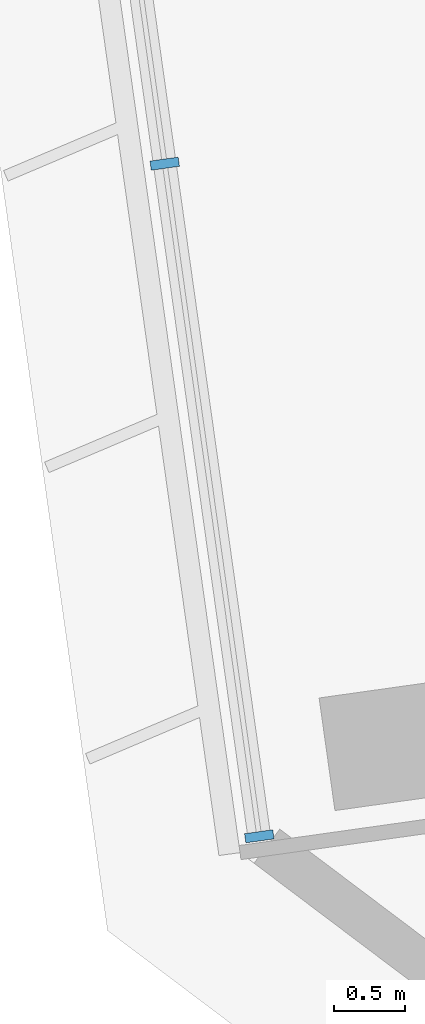
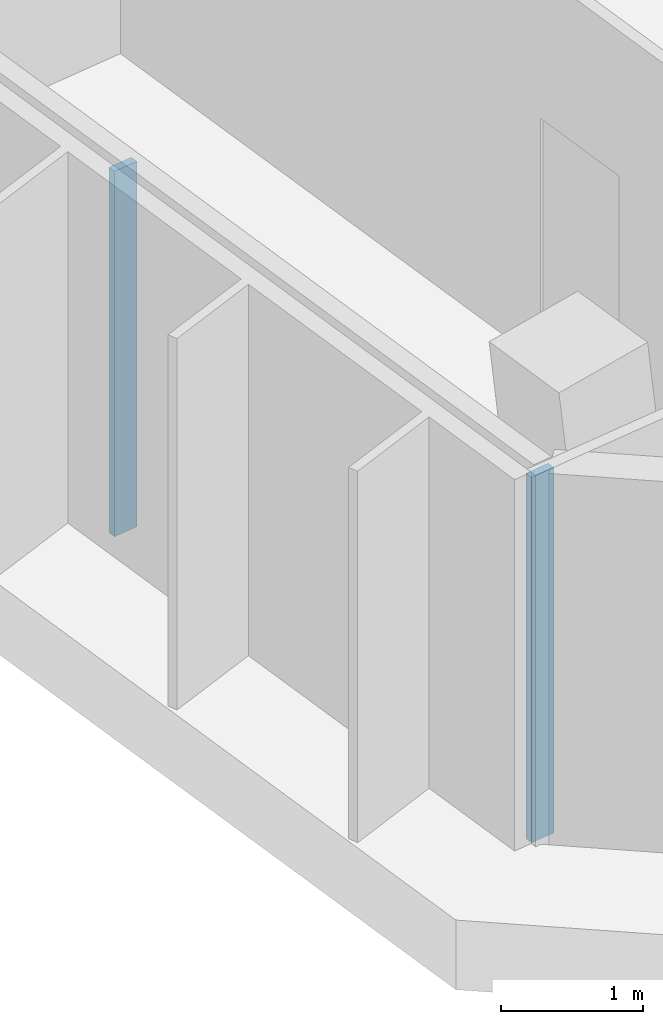
# One storey, part 8 of 26: 2 members, 1 element without a shape of its own.
"""IFC4 building model written with IfcOpenShell, lengths in metres."""

from ifc_helpers import new_model, si_unit, direction, frame, origin, origin_2d, place, context, subcontext, project, spatial, rectangle, extrude, material, material_profile, profile_set, type_object, element, aggregate, save


model = new_model("IFC4")

# Units and contexts
model_context = context("Model", 3, precision=1e-05, world=origin(), true_north=direction((0.0, 1.0)))
body_context = subcontext(model_context, "Body", "Model", "MODEL_VIEW")
ifc_project = project(units=[si_unit("LENGTHUNIT", "METRE"), si_unit("AREAUNIT", "SQUARE_METRE"), si_unit("VOLUMEUNIT", "CUBIC_METRE"), si_unit("PLANEANGLEUNIT", "RADIAN"), si_unit("MASSUNIT", "GRAM", prefix="KILO")], contexts=[model_context])

# Site, building, storey
site_placement = place(None, origin())
site = spatial("IfcSite", under=ifc_project, at=site_placement, CompositionType="ELEMENT")
building_placement = place(site_placement, origin())
building = spatial("IfcBuilding", under=site, at=building_placement, Name="Mirante Cascada Hotel Towers", CompositionType="ELEMENT")
storey_placement = place(building_placement, frame((0.0, 0.0, 203.0)))
storey = spatial("IfcBuildingStorey", under=building, at=storey_placement, Name="L48", CompositionType="ELEMENT", Elevation=203.0)

# Curtain wall, members
ifc_material_1 = material(Name="Aluminium mullion and transom frame with clear laminated glass", Category="aluminium")
curtain_wall_type = type_object("IfcCurtainWallType", Name="End ribbon curtain wall ECW2", PredefinedType="NOTDEFINED", material=ifc_material_1)
curtain_wall_placement = place(storey_placement, origin())
curtain_wall = element("IfcCurtainWall", 1, at=curtain_wall_placement, inside=storey, type_object=curtain_wall_type, Name="Inner end wall T2 L48", PredefinedType="NOTDEFINED")
ifc_material_2 = material(Name="Anodised aluminium extrusion", Category="aluminium")
ifc_material_profile = material_profile(ifc_material_2, rectangle(XDim=0.2, YDim=0.065, at=origin_2d()), Name="ECW2 MULLION 65x200")
ifc_profile_set = profile_set([ifc_material_profile], Name="Anodised aluminium extrusion")
member_type = type_object("IfcMemberType", Name="ECW2 mullion 65x200", PredefinedType="MULLION", material=ifc_profile_set)
member_1_placement = place(storey_placement, frame((28.414, -11.9427, 0.1), z_axis=(0.0, 0.0, 1.0), x_axis=(0.9902681, 0.1391731, 0.0)))
member_1 = element("IfcMember", 2, at=member_1_placement, type_object=member_type, Name="ECW2 mullion 6", PredefinedType="MULLION", context=body_context, shape_type="SweptSolid", body=[
    extrude(rectangle(XDim=0.2, YDim=0.065, at=origin_2d()), origin(), (0.0, 0.0, 1.0), 3.15),
])
member_2_placement = place(storey_placement, frame((29.0793, -16.6763, 0.1), z_axis=(0.0, 0.0, 1.0), x_axis=(0.9902681, 0.1391731, 0.0)))
member_2 = element("IfcMember", 3, at=member_2_placement, type_object=member_type, Name="ECW2 mullion 7", PredefinedType="MULLION", context=body_context, shape_type="SweptSolid", body=[
    extrude(rectangle(XDim=0.2, YDim=0.065, at=origin_2d()), origin(), (0.0, 0.0, 1.0), 3.15),
])
aggregate(curtain_wall, [member_1, member_2])

save(model, "model.ifc")
